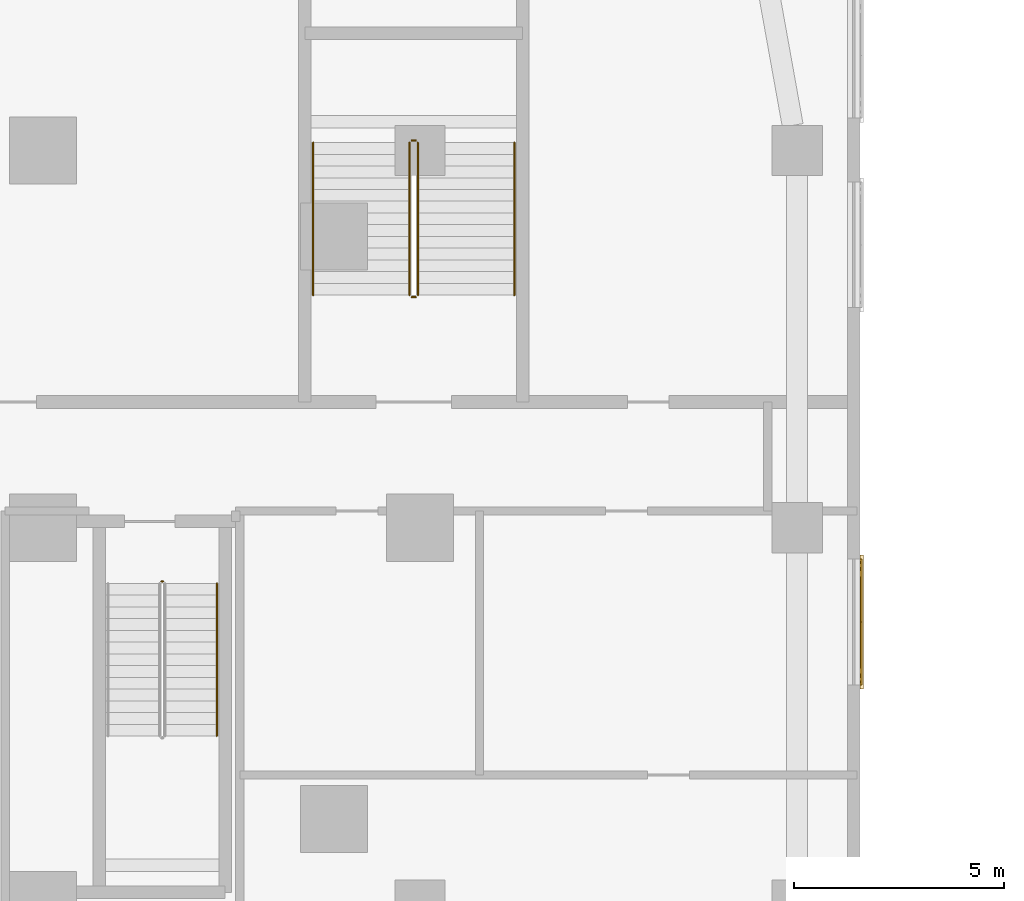
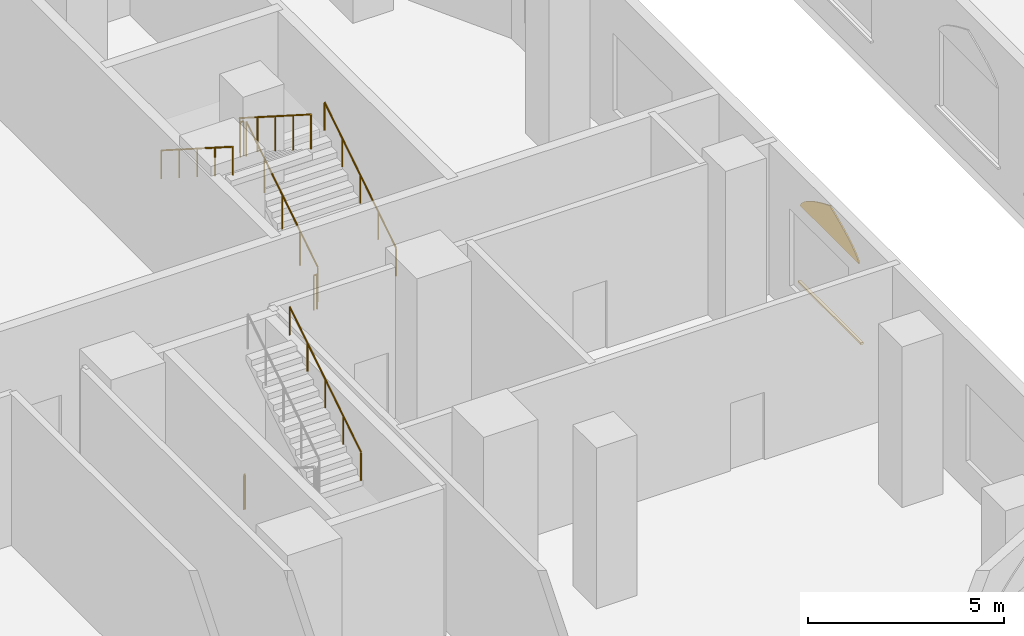
# One storey, part 28 of 31: 8 railings, 2 coverings.
"""IFC4 building model written with IfcOpenShell, lengths in metres."""

from ifc_helpers import new_model, si_unit, direction, frame, origin, origin_2d, place, context, subcontext, project, spatial, polyline, rectangle, circle, outline, extrude, material, layer, layer_set, type_object, element, save


model = new_model("IFC4")

# Units and contexts
model_context = context("Model", 3, precision=1e-05, world=origin(), true_north=direction((0.0, 1.0)))
body_context = subcontext(model_context, "Body", "Model", "MODEL_VIEW")
ifc_project = project(units=[si_unit("LENGTHUNIT", "METRE"), si_unit("AREAUNIT", "SQUARE_METRE"), si_unit("VOLUMEUNIT", "CUBIC_METRE"), si_unit("PLANEANGLEUNIT", "RADIAN"), si_unit("MASSUNIT", "GRAM", prefix="KILO")], contexts=[model_context])

# Site, building, storey
site_placement = place(None, origin())
site = spatial("IfcSite", under=ifc_project, at=site_placement, CompositionType="ELEMENT")
building_placement = place(site_placement, origin())
building = spatial("IfcBuilding", under=site, at=building_placement, Name="Ogive Portal Towers", CompositionType="ELEMENT")
storey_placement = place(building_placement, frame((0.0, 0.0, 13.5)))
storey = spatial("IfcBuildingStorey", under=building, at=storey_placement, Name="L02", CompositionType="ELEMENT", Elevation=13.5)

# Railings
ifc_material_1 = material(Name="Stainless steel balustrade", Category="steel")
railing_type_1 = type_object("IfcRailingType", Name="INT-GUARD", PredefinedType="GUARDRAIL", material=ifc_material_1)
railing_1_placement = place(storey_placement, frame((88.330078125, 29.219970703125, 0.0)))
element("IfcRailing", 1, at=railing_1_placement, inside=storey, type_object=railing_type_1, Name="L02 ST-A4 stair guard 4", PredefinedType="GUARDRAIL", context=body_context, shape_type="SweptSolid", body=[
    extrude(circle(Radius=0.02392578125, at=origin_2d()), frame((0.0, 0.0, 1.076171875), z_axis=(1.0, 0.0, 0.0), x_axis=(0.0, 1.0, 0.0)), (0.0, 0.0, 1.0), 0.0400390625),
    extrude(circle(Radius=0.02099609375, at=origin_2d()), origin(), (0.0, 0.0, 1.0), 1.052001953125),
    extrude(circle(Radius=0.02099609375, at=origin_2d()), frame((0.0400390625, 0.0, 0.0)), (0.0, 0.0, 1.0), 1.052001953125),
])
railing_2_placement = place(storey_placement, frame((94.449951171875, 36.050048828125, 0.178466796875)))
element("IfcRailing", 2, at=railing_2_placement, inside=storey, type_object=railing_type_1, Name="L02 ST-P1 stair guard 1", PredefinedType="GUARDRAIL", context=body_context, shape_type="SweptSolid", body=[
    extrude(circle(Radius=0.02392578125, at=origin_2d()), frame((0.0, 0.0, 1.076171875), z_axis=(0.0, 0.843111507901, 0.53773877045), x_axis=(-1.0, 0.0, 0.0)), (0.0, 0.0, 1.0), 4.317138671875),
    extrude(circle(Radius=0.02099609375, at=origin_2d()), origin(), (0.0, 0.0, 1.0), 1.052001953125),
    extrude(circle(Radius=0.02099609375, at=origin_2d()), frame((0.0, 0.909912109375, 0.580322265625)), (0.0, 0.0, 1.0), 1.052001953125),
    extrude(circle(Radius=0.02099609375, at=origin_2d()), frame((0.0, 1.81982421875, 1.16064453125)), (0.0, 0.0, 1.0), 1.052001953125),
    extrude(circle(Radius=0.02099609375, at=origin_2d()), frame((0.0, 2.72998046875, 1.7412109375)), (0.0, 0.0, 1.0), 1.052001953125),
    extrude(circle(Radius=0.02099609375, at=origin_2d()), frame((0.0, 3.639892578125, 2.321533203125)), (0.0, 0.0, 1.0), 1.052001953125),
])
railing_3_placement = place(storey_placement, frame((94.39990234375, 39.739990234375, 2.5)))
element("IfcRailing", 3, at=railing_3_placement, inside=storey, type_object=railing_type_1, Name="L02 ST-P1 stair guard 2", PredefinedType="GUARDRAIL", context=body_context, shape_type="SweptSolid", body=[
    extrude(circle(Radius=0.02392578125, at=origin_2d()), frame((0.0, 0.0, 1.076171875), z_axis=(-1.0, 0.0, 0.0), x_axis=(0.0, -1.0, 0.0)), (0.0, 0.0, 1.0), 0.099853515625),
    extrude(circle(Radius=0.02099609375, at=origin_2d()), origin(), (0.0, 0.0, 1.0), 1.052001953125),
    extrude(circle(Radius=0.02099609375, at=origin_2d()), frame((-0.099853515625, 0.0, 0.0)), (0.0, 0.0, 1.0), 1.052001953125),
])
railing_4_placement = place(storey_placement, frame((94.25, 39.68994140625, 2.678466796875)))
element("IfcRailing", 4, at=railing_4_placement, inside=storey, type_object=railing_type_1, Name="L02 ST-P1 stair guard 3", PredefinedType="GUARDRAIL", context=body_context, shape_type="SweptSolid", body=[
    extrude(circle(Radius=0.02392578125, at=origin_2d()), frame((0.0, 0.0, 1.076171875), z_axis=(0.0, -0.843111507901, 0.53773877045), x_axis=(1.0, 0.0, 0.0)), (0.0, 0.0, 1.0), 4.317138671875),
    extrude(circle(Radius=0.02099609375, at=origin_2d()), origin(), (0.0, 0.0, 1.0), 1.052001953125),
    extrude(circle(Radius=0.02099609375, at=origin_2d()), frame((0.0, -0.909912109375, 0.580322265625)), (0.0, 0.0, 1.0), 1.052001953125),
    extrude(circle(Radius=0.02099609375, at=origin_2d()), frame((0.0, -1.81982421875, 1.16064453125)), (0.0, 0.0, 1.0), 1.052001953125),
    extrude(circle(Radius=0.02099609375, at=origin_2d()), frame((0.0, -2.72998046875, 1.7412109375)), (0.0, 0.0, 1.0), 1.052001953125),
    extrude(circle(Radius=0.02099609375, at=origin_2d()), frame((0.0, -3.639892578125, 2.321533203125)), (0.0, 0.0, 1.0), 1.052001953125),
])
railing_5_placement = place(storey_placement, frame((94.39990234375, 36.0, 0.0)))
element("IfcRailing", 5, at=railing_5_placement, inside=storey, type_object=railing_type_1, Name="L02 ST-P1 stair guard 4", PredefinedType="GUARDRAIL", context=body_context, shape_type="SweptSolid", body=[
    extrude(circle(Radius=0.02392578125, at=origin_2d()), frame((0.0, 0.0, 1.076171875), z_axis=(-1.0, 0.0, 0.0), x_axis=(0.0, -1.0, 0.0)), (0.0, 0.0, 1.0), 0.099853515625),
    extrude(circle(Radius=0.02099609375, at=origin_2d()), origin(), (0.0, 0.0, 1.0), 1.052001953125),
    extrude(circle(Radius=0.02099609375, at=origin_2d()), frame((-0.099853515625, 0.0, 0.0)), (0.0, 0.0, 1.0), 1.052001953125),
])
ifc_material_2 = material(Name="Stainless steel handrail", Category="steel")
railing_type_2 = type_object("IfcRailingType", Name="INT-HANDRAIL", PredefinedType="HANDRAIL", material=ifc_material_2)
for number, where, name in (
    (6, (89.64990234375, 25.530029296875, 2.678466796875), "L02 ST-A4 stair handrail 2"),
    (7, (96.75, 36.050048828125, 0.178466796875), "L02 ST-P1 stair handrail 1"),
):
    element("IfcRailing", number, at=place(storey_placement, frame(where)), inside=storey, type_object=railing_type_2, Name=name, PredefinedType="HANDRAIL", context=body_context, shape_type="SweptSolid", body=[
        extrude(circle(Radius=0.02392578125, at=origin_2d()), frame((0.0, 0.0, 0.8759765625), z_axis=(0.0, 0.843111507901, 0.53773877045), x_axis=(-1.0, 0.0, 0.0)), (0.0, 0.0, 1.0), 4.317138671875),
        extrude(circle(Radius=0.02099609375, at=origin_2d()), origin(), (0.0, 0.0, 1.0), 0.851806640625),
        extrude(circle(Radius=0.02099609375, at=origin_2d()), frame((0.0, 0.909912109375, 0.580322265625)), (0.0, 0.0, 1.0), 0.851806640625),
        extrude(circle(Radius=0.02099609375, at=origin_2d()), frame((0.0, 1.81982421875, 1.16064453125)), (0.0, 0.0, 1.0), 0.851806640625),
        extrude(circle(Radius=0.02099609375, at=origin_2d()), frame((0.0, 2.72998046875, 1.7412109375)), (0.0, 0.0, 1.0), 0.851806640625),
        extrude(circle(Radius=0.02099609375, at=origin_2d()), frame((0.0, 3.639892578125, 2.321533203125)), (0.0, 0.0, 1.0), 0.851806640625),
    ])
railing_6_placement = place(storey_placement, frame((91.949951171875, 39.68994140625, 2.678466796875)))
element("IfcRailing", 8, at=railing_6_placement, inside=storey, type_object=railing_type_2, Name="L02 ST-P1 stair handrail 2", PredefinedType="HANDRAIL", context=body_context, shape_type="SweptSolid", body=[
    extrude(circle(Radius=0.02392578125, at=origin_2d()), frame((0.0, 0.0, 0.8759765625), z_axis=(0.0, -0.843111507901, 0.53773877045), x_axis=(1.0, 0.0, 0.0)), (0.0, 0.0, 1.0), 4.317138671875),
    extrude(circle(Radius=0.02099609375, at=origin_2d()), origin(), (0.0, 0.0, 1.0), 0.851806640625),
    extrude(circle(Radius=0.02099609375, at=origin_2d()), frame((0.0, -0.909912109375, 0.580322265625)), (0.0, 0.0, 1.0), 0.851806640625),
    extrude(circle(Radius=0.02099609375, at=origin_2d()), frame((0.0, -1.81982421875, 1.16064453125)), (0.0, 0.0, 1.0), 0.851806640625),
    extrude(circle(Radius=0.02099609375, at=origin_2d()), frame((0.0, -2.72998046875, 1.7412109375)), (0.0, 0.0, 1.0), 0.851806640625),
    extrude(circle(Radius=0.02099609375, at=origin_2d()), frame((0.0, -3.639892578125, 2.321533203125)), (0.0, 0.0, 1.0), 0.851806640625),
])

# Coverings
ifc_material_3 = material(Name="Limestone cladding on lightweight block wall", Category="masonry")
ifc_layer_1 = layer(ifc_material_3, 0.0400390625)
ifc_layer_set_1 = layer_set([ifc_layer_1], Name="LANCET HEAD STONE")
covering_type_1 = type_object("IfcCoveringType", Name="LANCET HEAD STONE", PredefinedType="CLADDING", material=ifc_layer_set_1)
covering_1_placement = place(storey_placement, frame((105.0, 26.75, 3.300048828125), z_axis=(-0.999950056531, 0.0, 0.009994220538), x_axis=(0.0, 1.0, 0.0)))
element("IfcCovering", 9, at=covering_1_placement, inside=storey, type_object=covering_type_1, Name="Lancet head", PredefinedType="CLADDING", context=body_context, shape_type="SweptSolid", body=[
    extrude(outline(polyline([(0.0, 0.0), (3.0, 0.0), (2.93359375, -0.11255540702230543), (2.8125, -0.22486424561759202), (2.655517578125, -0.3374196526398974), (2.4697265625, -0.4499726196669543), (2.2587890625, -0.5625280266892596), (2.025634765625, -0.6750834337115651), (1.772216796875, -0.7873922723068517), (1.5, -0.8999476793291572), (1.227783203125, -0.7873922723068517), (0.974365234375, -0.6750834337115651), (0.7412109375, -0.5625280266892596), (0.5302734375, -0.4499726196669543), (0.344482421875, -0.3374196526398974), (0.1875, -0.22486424561759202), (0.06640625, -0.11255540702230543), (0.0, 0.0)])), origin(), (0.0, 0.0, -1.0), 0.0400390625),
])
ifc_layer_2 = layer(ifc_material_3, 0.080078125)
ifc_layer_set_2 = layer_set([ifc_layer_2], Name="STONE SILL 80")
covering_type_2 = type_object("IfcCoveringType", Name="STONE SILL 80", PredefinedType="CLADDING", material=ifc_layer_set_2)
covering_2_placement = place(storey_placement, frame((105.0400390625, 28.25, 0.840087890625), z_axis=(0.0, 0.0, 1.0), x_axis=(0.0, 1.0, 0.0)))
element("IfcCovering", 10, at=covering_2_placement, inside=storey, type_object=covering_type_2, Name="Stone sill", PredefinedType="CLADDING", context=body_context, shape_type="SweptSolid", body=[
    extrude(rectangle(XDim=3.199951171875, YDim=0.080078125, at=origin_2d()), origin(), (0.0, 0.0, 1.0), 0.06005859375),
])

save(model, "model.ifc")
